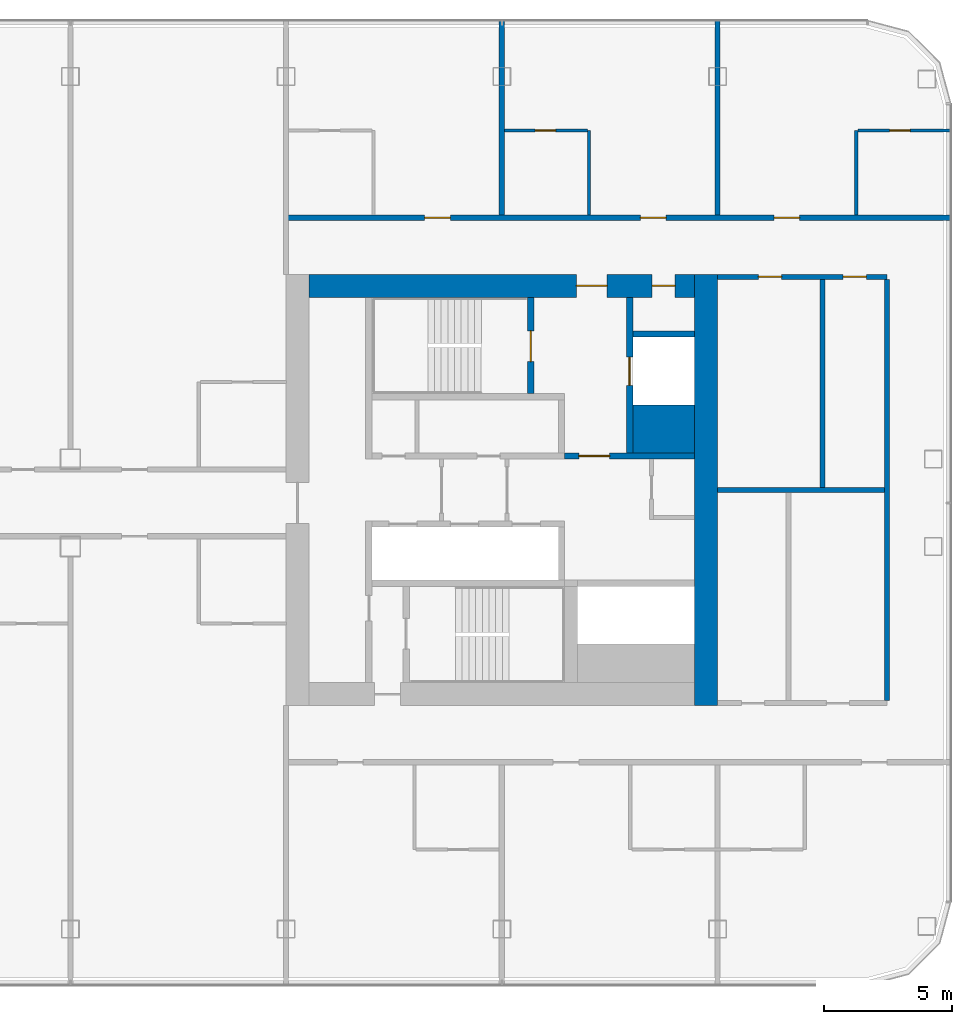
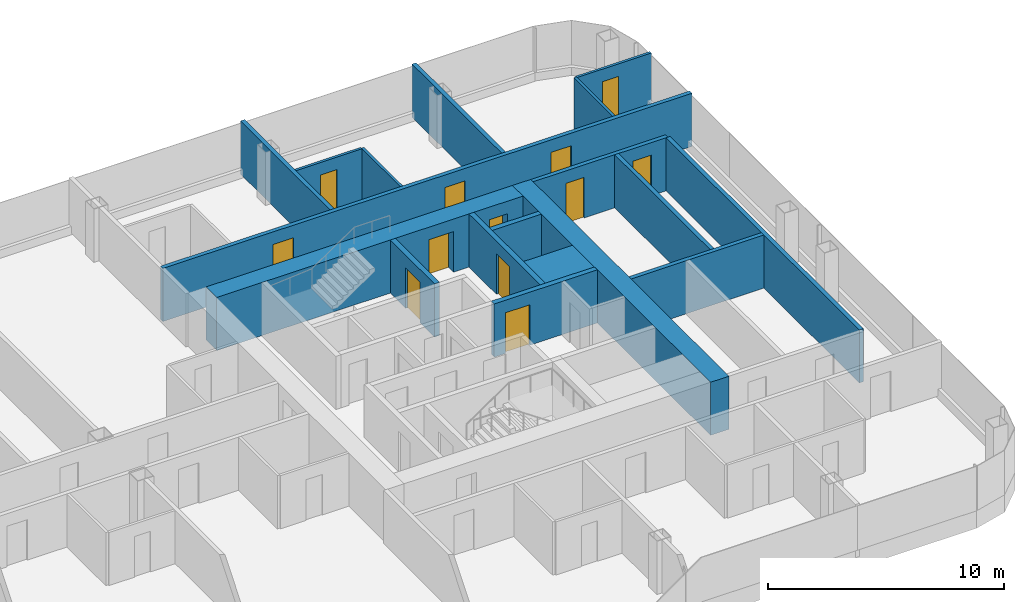
# One storey, part 16 of 25: 18 walls, 12 doors, 12 openings.
"""IFC4 building model written with IfcOpenShell, lengths in metres."""

from ifc_helpers import new_model, si_unit, direction, frame, frame_2d, origin, place, context, subcontext, project, spatial, rectangle, extrude, material, layer, layer_set, type_object, element, fill, save


model = new_model("IFC4")

# Units and contexts
model_context = context("Model", 3, precision=1e-05, world=origin(), true_north=direction((0.0, 1.0)))
body_context = subcontext(model_context, "Body", "Model", "MODEL_VIEW")
ifc_project = project(units=[si_unit("LENGTHUNIT", "METRE"), si_unit("AREAUNIT", "SQUARE_METRE"), si_unit("VOLUMEUNIT", "CUBIC_METRE"), si_unit("PLANEANGLEUNIT", "RADIAN"), si_unit("MASSUNIT", "GRAM", prefix="KILO")], contexts=[model_context])

# Site, building, storey
site_placement = place(None, origin())
site = spatial("IfcSite", under=ifc_project, at=site_placement, CompositionType="ELEMENT")
building_placement = place(site_placement, origin())
building = spatial("IfcBuilding", under=site, at=building_placement, Name="Hakoniwa Tower and Hamabe Station Hall", CompositionType="ELEMENT")
storey_placement = place(building_placement, frame((0.0, 0.0, 147.0)))
storey = spatial("IfcBuildingStorey", under=building, at=storey_placement, Name="L41", CompositionType="ELEMENT", Elevation=147.0)

# Wall, opening, door
ifc_material_1 = material(Name="Gypsum board partition", Category="gypsum")
ifc_layer_1 = layer(ifc_material_1, 0.125)
ifc_layer_set_1 = layer_set([ifc_layer_1], Name="Bathroom Partition 125")
wall_type_1 = type_object("IfcWallType", Name="Bathroom Partition 125", PredefinedType="PARTITIONING", material=ifc_layer_set_1)
wall_1_placement = place(storey_placement, frame((25.300048828125, 14.0, 0.0), z_axis=(0.0, 0.0, 1.0), x_axis=(1.0, 0.0, 0.0)))
wall_1 = element("IfcWall", 1, at=wall_1_placement, inside=storey, type_object=wall_type_1, Name="GW-L41-027", PredefinedType="PARTITIONING", context=body_context, shape_type="SweptSolid", body=[
    extrude(rectangle(XDim=3.237548828125, YDim=0.125, at=frame_2d((1.61865234375, 0.0))), origin(), (0.0, 0.0, 1.0), 2.75),
])
opening_1_placement = place(wall_1_placement, frame((1.199951171875, 0.0, 0.0)))
opening_1 = element("IfcOpeningElement", 2, at=opening_1_placement, cuts=wall_1, Name="Opening GD-G3A1-44", PredefinedType="OPENING", context=body_context, shape_type="SweptSolid", body=[
    extrude(rectangle(XDim=0.800048828125, YDim=2.10009765625, at=frame_2d((0.39990234375, 1.050048828125))), frame((0.0, 0.072509765625, 0.0), z_axis=(0.0, -1.0, 0.0), x_axis=(1.0, 0.0, 0.0)), (0.0, 0.0, 1.0), 0.14501953125),
])
ifc_material_2 = material(Name="Timber door leaf", Category="wood")
door_type_1 = type_object("IfcDoorType", Name="Bathroom Door 800", OperationType="SINGLE_SWING_LEFT", PredefinedType="DOOR", material=ifc_material_2)
door_1_placement = place(opening_1_placement, origin())
door_1 = element("IfcDoor", 3, at=door_1_placement, inside=storey, type_object=door_type_1, Name="Door GD-G3A1-44", OperationType="SINGLE_SWING_LEFT", OverallHeight=2.10009765625, OverallWidth=0.800048828125, PredefinedType="DOOR", context=body_context, shape_type="SweptSolid", body=[
    extrude(rectangle(XDim=0.800048828125, YDim=2.10009765625, at=frame_2d((0.39990234375, 1.050048828125))), frame((0.0, 0.02490234375, 0.0), z_axis=(0.0, -1.0, 0.0), x_axis=(1.0, 0.0, 0.0)), (0.0, 0.0, 1.0), 0.050048828125),
])
fill(opening_1, door_1)

wall_2_placement = place(storey_placement, frame((39.0625, 14.0, 0.0), z_axis=(0.0, 0.0, 1.0), x_axis=(1.0, 0.0, 0.0)))
wall_2 = element("IfcWall", 4, at=wall_2_placement, inside=storey, type_object=wall_type_1, Name="GW-L41-028", PredefinedType="PARTITIONING", context=body_context, shape_type="SweptSolid", body=[
    extrude(rectangle(XDim=3.637451171875, YDim=0.125, at=frame_2d((1.81884765625, 0.0))), origin(), (0.0, 0.0, 1.0), 2.75),
])
opening_2_placement = place(wall_2_placement, frame((1.237548828125, 0.0, 0.0)))
opening_2 = element("IfcOpeningElement", 5, at=opening_2_placement, cuts=wall_2, Name="Opening GD-G3A1-45", PredefinedType="OPENING", context=body_context, shape_type="SweptSolid", body=[
    extrude(rectangle(XDim=0.800048828125, YDim=2.10009765625, at=frame_2d((0.39990234375, 1.050048828125))), frame((0.0, 0.072509765625, 0.0), z_axis=(0.0, -1.0, 0.0), x_axis=(1.0, 0.0, 0.0)), (0.0, 0.0, 1.0), 0.14501953125),
])
door_2_placement = place(opening_2_placement, origin())
door_2 = element("IfcDoor", 6, at=door_2_placement, inside=storey, type_object=door_type_1, Name="Door GD-G3A1-45", OperationType="SINGLE_SWING_LEFT", OverallHeight=2.10009765625, OverallWidth=0.800048828125, PredefinedType="DOOR", context=body_context, shape_type="SweptSolid", body=[
    extrude(rectangle(XDim=0.800048828125, YDim=2.10009765625, at=frame_2d((0.39990234375, 1.050048828125))), frame((0.0, 0.02490234375, 0.0), z_axis=(0.0, -1.0, 0.0), x_axis=(1.0, 0.0, 0.0)), (0.0, 0.0, 1.0), 0.050048828125),
])
fill(opening_2, door_2)

# Walls
for number, where, z_axis, x_axis, name in (
    (7, (28.60009765625, 10.699951171875, 0.0), (0.0, 0.0, 1.0), (0.0, 1.0, 0.0), "GW-L41-063"),
    (8, (39.0, 10.699951171875, 0.0), (0.0, 0.0, 1.0), (0.0, 1.0, 0.0), "GW-L41-070"),
):
    element("IfcWall", number, at=place(storey_placement, frame(where, z_axis=z_axis, x_axis=x_axis)), inside=storey, type_object=wall_type_1, Name=name, PredefinedType="PARTITIONING", context=body_context, shape_type="SweptSolid", body=[
        extrude(rectangle(XDim=3.300048828125, YDim=0.125, at=frame_2d((1.64990234375, 0.0))), origin(), (0.0, 0.0, 1.0), 2.75),
    ])
ifc_material_3 = material(Name="Concrete C66", Category="concrete")
ifc_layer_2 = layer(ifc_material_3, 0.89990234375)
ifc_layer_set_2 = layer_set([ifc_layer_2], Name="CORE WALL 900 C66")
wall_type_2 = type_object("IfcWallType", Name="CORE WALL 900 C66", PredefinedType="SHEAR", material=ifc_layer_set_2)
wall_3_placement = place(storey_placement, frame((33.14990234375, -8.39990234375, 0.0), z_axis=(0.0, 0.0, 1.0), x_axis=(0.0, 1.0, 0.0)))
element("IfcWall", 9, at=wall_3_placement, inside=storey, type_object=wall_type_2, Name="Core wall OUTER east", PredefinedType="SHEAR", context=body_context, shape_type="SweptSolid", body=[
    extrude(rectangle(XDim=16.7998046875, YDim=0.89990234375, at=frame_2d((8.39990234375, 0.0))), origin(), (0.0, 0.0, 1.0), 2.75),
])

# Wall, openings, doors
wall_4_placement = place(storey_placement, frame((17.699951171875, 7.949951171875, 0.0), z_axis=(0.0, 0.0, 1.0), x_axis=(1.0, 0.0, 0.0)))
wall_4 = element("IfcWall", 10, at=wall_4_placement, inside=storey, type_object=wall_type_2, Name="Core wall NORTH east", PredefinedType="SHEAR", context=body_context, shape_type="SweptSolid", body=[
    extrude(rectangle(XDim=15.0, YDim=0.89990234375, at=frame_2d((7.5, 0.0))), origin(), (0.0, 0.0, 1.0), 2.75),
])
opening_3_placement = place(wall_4_placement, frame((10.39990234375, 0.0, 0.0)))
opening_3 = element("IfcOpeningElement", 11, at=opening_3_placement, cuts=wall_4, Name="Opening CD-E-FN1-12", PredefinedType="OPENING", context=body_context, shape_type="SweptSolid", body=[
    extrude(rectangle(XDim=1.199951171875, YDim=2.10009765625, at=frame_2d((0.60009765625, 1.050048828125))), frame((0.0, 0.4599609375, 0.0), z_axis=(0.0, -1.0, 0.0), x_axis=(1.0, 0.0, 0.0)), (0.0, 0.0, 1.0), 0.919921875),
])
opening_4_placement = place(wall_4_placement, frame((13.35009765625, 0.0, 0.0)))
opening_4 = element("IfcOpeningElement", 12, at=opening_4_placement, cuts=wall_4, Name="Opening CD-E-FN2-9", PredefinedType="OPENING", context=body_context, shape_type="SweptSolid", body=[
    extrude(rectangle(XDim=0.89990234375, YDim=2.10009765625, at=frame_2d((0.449951171875, 1.050048828125))), frame((0.0, 0.4599609375, 0.0), z_axis=(0.0, -1.0, 0.0), x_axis=(1.0, 0.0, 0.0)), (0.0, 0.0, 1.0), 0.919921875),
])
ifc_material_4 = material(Name="Steel fire door", Category="steel")
door_type_2 = type_object("IfcDoorType", Name="CORE DOOR 1200 FD60", OperationType="DOUBLE_DOOR_SINGLE_SWING", PredefinedType="DOOR", material=ifc_material_4)
door_3_placement = place(opening_3_placement, origin())
door_3 = element("IfcDoor", 13, at=door_3_placement, inside=storey, type_object=door_type_2, Name="Stair vestibule door to the fire-fighting lobby", OperationType="DOUBLE_DOOR_SINGLE_SWING", OverallHeight=2.10009765625, OverallWidth=1.199951171875, PredefinedType="DOOR", context=body_context, shape_type="SweptSolid", body=[
    extrude(rectangle(XDim=1.199951171875, YDim=2.10009765625, at=frame_2d((0.60009765625, 1.050048828125))), frame((0.0, 0.02490234375, 0.0), z_axis=(0.0, -1.0, 0.0), x_axis=(1.0, 0.0, 0.0)), (0.0, 0.0, 1.0), 0.050048828125),
])
fill(opening_3, door_3)
ifc_material_5 = material(Name="Steel fire door", Category="steel")
door_type_3 = type_object("IfcDoorType", Name="CORE DOOR 900 FD30", OperationType="NOTDEFINED", PredefinedType="DOOR", material=ifc_material_5)
door_4_placement = place(opening_4_placement, origin())
door_4 = element("IfcDoor", 14, at=door_4_placement, inside=storey, type_object=door_type_3, Name="Riser access door", OperationType="SINGLE_SWING_LEFT", OverallHeight=2.10009765625, OverallWidth=0.89990234375, PredefinedType="DOOR", context=body_context, shape_type="SweptSolid", body=[
    extrude(rectangle(XDim=0.89990234375, YDim=2.10009765625, at=frame_2d((0.449951171875, 1.050048828125))), frame((0.0, 0.02490234375, 0.0), z_axis=(0.0, -1.0, 0.0), x_axis=(1.0, 0.0, 0.0)), (0.0, 0.0, 1.0), 0.050048828125),
])
fill(opening_4, door_4)

# Wall
ifc_material_6 = material(Name="Concrete C66", Category="concrete")
ifc_layer_3 = layer(ifc_material_6, 1.85009765625)
ifc_layer_set_3 = layer_set([ifc_layer_3], Name="CORE WEB WALL 1850 C66")
wall_type_3 = type_object("IfcWallType", Name="CORE WEB WALL 1850 C66", PredefinedType="SHEAR", material=ifc_layer_set_3)
wall_5_placement = place(storey_placement, frame((30.300048828125, 2.375, 0.0), z_axis=(0.0, 0.0, 1.0), x_axis=(1.0, 0.0, 0.0)))
element("IfcWall", 15, at=wall_5_placement, inside=storey, type_object=wall_type_3, Name="Core wall CA east", PredefinedType="SHEAR", context=body_context, shape_type="SweptSolid", body=[
    extrude(rectangle(XDim=2.39990234375, YDim=1.85009765625, at=frame_2d((1.199951171875, 0.0))), origin(), (0.0, 0.0, 1.0), 2.75),
])

# Wall, opening, door
ifc_material_7 = material(Name="Concrete C66", Category="concrete")
ifc_layer_4 = layer(ifc_material_7, 0.25)
ifc_layer_set_4 = layer_set([ifc_layer_4], Name="CORE WEB WALL 250 C66")
wall_type_4 = type_object("IfcWallType", Name="CORE WEB WALL 250 C66", PredefinedType="SHEAR", material=ifc_layer_set_4)
wall_6_placement = place(storey_placement, frame((26.324951171875, 3.75, 0.0), z_axis=(0.0, 0.0, 1.0), x_axis=(0.0, 1.0, 0.0)))
wall_6 = element("IfcWall", 16, at=wall_6_placement, inside=storey, type_object=wall_type_4, Name="Core wall NSE east", PredefinedType="SHEAR", context=body_context, shape_type="SweptSolid", body=[
    extrude(rectangle(XDim=3.75, YDim=0.25, at=frame_2d((1.875, 0.0))), origin(), (0.0, 0.0, 1.0), 2.75),
])
opening_5_placement = place(wall_6_placement, frame((1.25, 0.0, 0.0)))
opening_5 = element("IfcOpeningElement", 17, at=opening_5_placement, cuts=wall_6, Name="Opening CD-E-SN-12", PredefinedType="OPENING", context=body_context, shape_type="SweptSolid", body=[
    extrude(rectangle(XDim=1.199951171875, YDim=2.10009765625, at=frame_2d((0.60009765625, 1.050048828125))), frame((0.0, 0.135009765625, 0.0), z_axis=(0.0, -1.0, 0.0), x_axis=(1.0, 0.0, 0.0)), (0.0, 0.0, 1.0), 0.27001953125),
])
door_5_placement = place(opening_5_placement, origin())
door_5 = element("IfcDoor", 18, at=door_5_placement, inside=storey, type_object=door_type_2, Name="Escape stair door", OperationType="DOUBLE_DOOR_SINGLE_SWING", OverallHeight=2.10009765625, OverallWidth=1.199951171875, PredefinedType="DOOR", context=body_context, shape_type="SweptSolid", body=[
    extrude(rectangle(XDim=1.199951171875, YDim=2.10009765625, at=frame_2d((0.60009765625, 1.050048828125))), frame((0.0, 0.02490234375, 0.0), z_axis=(0.0, -1.0, 0.0), x_axis=(1.0, 0.0, 0.0)), (0.0, 0.0, 1.0), 0.050048828125),
])
fill(opening_5, door_5)

wall_7_placement = place(storey_placement, frame((27.64990234375, 1.324951171875, 0.0), z_axis=(0.0, 0.0, 1.0), x_axis=(1.0, 0.0, 0.0)))
wall_7 = element("IfcWall", 19, at=wall_7_placement, inside=storey, type_object=wall_type_4, Name="Core wall ELN east", PredefinedType="SHEAR", context=body_context, shape_type="SweptSolid", body=[
    extrude(rectangle(XDim=5.050048828125, YDim=0.25, at=frame_2d((2.52490234375, 0.0))), origin(), (0.0, 0.0, 1.0), 2.75),
])
opening_6_placement = place(wall_7_placement, frame((0.550048828125, 0.0, 0.0)))
opening_6 = element("IfcOpeningElement", 20, at=opening_6_placement, cuts=wall_7, Name="Opening CD-E-FL-12", PredefinedType="OPENING", context=body_context, shape_type="SweptSolid", body=[
    extrude(rectangle(XDim=1.199951171875, YDim=2.10009765625, at=frame_2d((0.60009765625, 1.050048828125))), frame((0.0, 0.135009765625, 0.0), z_axis=(0.0, -1.0, 0.0), x_axis=(1.0, 0.0, 0.0)), (0.0, 0.0, 1.0), 0.27001953125),
])
door_6_placement = place(opening_6_placement, origin())
door_6 = element("IfcDoor", 21, at=door_6_placement, inside=storey, type_object=door_type_2, Name="Stair vestibule door to the fire-fighting lobby", OperationType="DOUBLE_DOOR_SINGLE_SWING", OverallHeight=2.10009765625, OverallWidth=1.199951171875, PredefinedType="DOOR", context=body_context, shape_type="SweptSolid", body=[
    extrude(rectangle(XDim=1.199951171875, YDim=2.10009765625, at=frame_2d((0.60009765625, 1.050048828125))), frame((0.0, 0.02490234375, 0.0), z_axis=(0.0, -1.0, 0.0), x_axis=(1.0, 0.0, 0.0)), (0.0, 0.0, 1.0), 0.050048828125),
])
fill(opening_6, door_6)

wall_8_placement = place(storey_placement, frame((30.175048828125, 1.449951171875, 0.0), z_axis=(0.0, 0.0, 1.0), x_axis=(0.0, 1.0, 0.0)))
wall_8 = element("IfcWall", 22, at=wall_8_placement, inside=storey, type_object=wall_type_4, Name="Core wall FFF east", PredefinedType="SHEAR", context=body_context, shape_type="SweptSolid", body=[
    extrude(rectangle(XDim=6.050048828125, YDim=0.25, at=frame_2d((3.02490234375, 0.0))), origin(), (0.0, 0.0, 1.0), 2.75),
])
opening_7_placement = place(wall_8_placement, frame((2.625, 0.0, 0.0)))
opening_7 = element("IfcOpeningElement", 23, at=opening_7_placement, cuts=wall_8, Name="Opening LD-FF2", PredefinedType="OPENING", context=body_context, shape_type="SweptSolid", body=[
    extrude(rectangle(XDim=1.10009765625, YDim=2.10009765625, at=frame_2d((0.550048828125, 1.050048828125))), frame((0.0, 0.135009765625, 0.0), z_axis=(0.0, -1.0, 0.0), x_axis=(1.0, 0.0, 0.0)), (0.0, 0.0, 1.0), 0.27001953125),
])
ifc_material_8 = material(Name="Stainless steel SUS304", Category="steel")
door_type_4 = type_object("IfcDoorType", Name="LIFT LANDING DOOR 1100 FD60", OperationType="DOUBLE_DOOR_SLIDING", PredefinedType="DOOR", material=ifc_material_8)
door_7_placement = place(opening_7_placement, origin())
door_7 = element("IfcDoor", 24, at=door_7_placement, inside=storey, type_object=door_type_4, Name="Lift landing door FF2 L41", OperationType="DOUBLE_DOOR_SLIDING", OverallHeight=2.10009765625, OverallWidth=1.10009765625, PredefinedType="DOOR", context=body_context, shape_type="SweptSolid", body=[
    extrude(rectangle(XDim=1.10009765625, YDim=2.10009765625, at=frame_2d((0.550048828125, 1.050048828125))), frame((0.0, 0.02490234375, 0.0), z_axis=(0.0, -1.0, 0.0), x_axis=(1.0, 0.0, 0.0)), (0.0, 0.0, 1.0), 0.050048828125),
])
fill(opening_7, door_7)

# Wall
wall_9_placement = place(storey_placement, frame((30.300048828125, 6.074951171875, 0.0), z_axis=(0.0, 0.0, 1.0), x_axis=(1.0, 0.0, 0.0)))
element("IfcWall", 25, at=wall_9_placement, inside=storey, type_object=wall_type_4, Name="Core wall C2 east", PredefinedType="SHEAR", context=body_context, shape_type="SweptSolid", body=[
    extrude(rectangle(XDim=2.39990234375, YDim=0.25, at=frame_2d((1.199951171875, 0.0))), origin(), (0.0, 0.0, 1.0), 2.75),
])

# Wall, openings, doors
ifc_material_9 = material(Name="Fire-rated gypsum board partition", Category="gypsum")
ifc_layer_5 = layer(ifc_material_9, 0.199951171875)
ifc_layer_set_5 = layer_set([ifc_layer_5], Name="Corridor Wall 200")
wall_type_5 = type_object("IfcWallType", Name="Corridor Wall 200", PredefinedType="PARTITIONING", material=ifc_layer_set_5)
wall_10_placement = place(storey_placement, frame((33.60009765625, 8.300048828125, 0.0), z_axis=(0.0, 0.0, 1.0), x_axis=(1.0, 0.0, 0.0)))
wall_10 = element("IfcWall", 26, at=wall_10_placement, inside=storey, type_object=wall_type_5, Name="GW-L41-020", PredefinedType="PARTITIONING", context=body_context, shape_type="SweptSolid", body=[
    extrude(rectangle(XDim=6.599853515625, YDim=0.199951171875, at=frame_2d((3.2998046875, 0.0))), origin(), (0.0, 0.0, 1.0), 2.75),
])
opening_8_placement = place(wall_10_placement, frame((1.594970703125, 0.0, 0.0)))
opening_8 = element("IfcOpeningElement", 27, at=opening_8_placement, cuts=wall_10, Name="Opening GD-G3A1-32", PredefinedType="OPENING", context=body_context, shape_type="SweptSolid", body=[
    extrude(rectangle(XDim=0.89990234375, YDim=2.10009765625, at=frame_2d((0.449951171875, 1.050048828125))), frame((0.0, 0.10986328125, 0.0), z_axis=(0.0, -1.0, 0.0), x_axis=(1.0, 0.0, 0.0)), (0.0, 0.0, 1.0), 0.219970703125),
])
opening_9_placement = place(wall_10_placement, frame((4.89501953125, 0.0, 0.0)))
opening_9 = element("IfcOpeningElement", 28, at=opening_9_placement, cuts=wall_10, Name="Opening GD-G3A1-33", PredefinedType="OPENING", context=body_context, shape_type="SweptSolid", body=[
    extrude(rectangle(XDim=0.89990234375, YDim=2.10009765625, at=frame_2d((0.449951171875, 1.050048828125))), frame((0.0, 0.10986328125, 0.0), z_axis=(0.0, -1.0, 0.0), x_axis=(1.0, 0.0, 0.0)), (0.0, 0.0, 1.0), 0.219970703125),
])
ifc_material_10 = material(Name="Timber door leaf", Category="wood")
door_type_5 = type_object("IfcDoorType", Name="Service Door 900", OperationType="SINGLE_SWING_LEFT", PredefinedType="DOOR", material=ifc_material_10)
door_8_placement = place(opening_8_placement, origin())
door_8 = element("IfcDoor", 29, at=door_8_placement, inside=storey, type_object=door_type_5, Name="Door GD-G3A1-32", OperationType="SINGLE_SWING_RIGHT", OverallHeight=2.10009765625, OverallWidth=0.89990234375, PredefinedType="DOOR", context=body_context, shape_type="SweptSolid", body=[
    extrude(rectangle(XDim=0.89990234375, YDim=2.10009765625, at=frame_2d((0.449951171875, 1.050048828125))), frame((0.0, 0.02490234375, 0.0), z_axis=(0.0, -1.0, 0.0), x_axis=(1.0, 0.0, 0.0)), (0.0, 0.0, 1.0), 0.050048828125),
])
fill(opening_8, door_8)
door_9_placement = place(opening_9_placement, origin())
door_9 = element("IfcDoor", 30, at=door_9_placement, inside=storey, type_object=door_type_5, Name="Door GD-G3A1-33", OperationType="SINGLE_SWING_LEFT", OverallHeight=2.10009765625, OverallWidth=0.89990234375, PredefinedType="DOOR", context=body_context, shape_type="SweptSolid", body=[
    extrude(rectangle(XDim=0.89990234375, YDim=2.10009765625, at=frame_2d((0.449951171875, 1.050048828125))), frame((0.0, 0.02490234375, 0.0), z_axis=(0.0, -1.0, 0.0), x_axis=(1.0, 0.0, 0.0)), (0.0, 0.0, 1.0), 0.050048828125),
])
fill(opening_9, door_9)

wall_11_placement = place(storey_placement, frame((16.800048828125, 10.60009765625, 0.0), z_axis=(0.0, 0.0, 1.0), x_axis=(1.0, 0.0, 0.0)))
wall_11 = element("IfcWall", 31, at=wall_11_placement, inside=storey, type_object=wall_type_5, Name="GW-L41-022", PredefinedType="PARTITIONING", context=body_context, shape_type="SweptSolid", body=[
    extrude(rectangle(XDim=25.89990234375, YDim=0.199951171875, at=frame_2d((12.949951171875, 0.0))), origin(), (0.0, 0.0, 1.0), 2.75),
])
opening_10_placement = place(wall_11_placement, frame((5.39990234375, 0.0, 0.0)))
opening_10 = element("IfcOpeningElement", 32, at=opening_10_placement, cuts=wall_11, Name="Opening GD-G3A1-37", PredefinedType="OPENING", context=body_context, shape_type="SweptSolid", body=[
    extrude(rectangle(XDim=1.0, YDim=2.10009765625, at=frame_2d((0.5, 1.050048828125))), frame((0.0, 0.10986328125, 0.0), z_axis=(0.0, -1.0, 0.0), x_axis=(1.0, 0.0, 0.0)), (0.0, 0.0, 1.0), 0.219970703125),
])
opening_11_placement = place(wall_11_placement, frame((13.800048828125, 0.0, 0.0)))
opening_11 = element("IfcOpeningElement", 33, at=opening_11_placement, cuts=wall_11, Name="Opening GD-G3A1-38", PredefinedType="OPENING", context=body_context, shape_type="SweptSolid", body=[
    extrude(rectangle(XDim=1.0, YDim=2.10009765625, at=frame_2d((0.5, 1.050048828125))), frame((0.0, 0.10986328125, 0.0), z_axis=(0.0, -1.0, 0.0), x_axis=(1.0, 0.0, 0.0)), (0.0, 0.0, 1.0), 0.219970703125),
])
opening_12_placement = place(wall_11_placement, frame((19.0, 0.0, 0.0)))
opening_12 = element("IfcOpeningElement", 34, at=opening_12_placement, cuts=wall_11, Name="Opening GD-G3A1-39", PredefinedType="OPENING", context=body_context, shape_type="SweptSolid", body=[
    extrude(rectangle(XDim=1.0, YDim=2.10009765625, at=frame_2d((0.5, 1.050048828125))), frame((0.0, 0.10986328125, 0.0), z_axis=(0.0, -1.0, 0.0), x_axis=(1.0, 0.0, 0.0)), (0.0, 0.0, 1.0), 0.219970703125),
])
ifc_material_11 = material(Name="Timber door leaf", Category="wood")
door_type_6 = type_object("IfcDoorType", Name="Guest Entrance Door 1000", OperationType="SINGLE_SWING_LEFT", PredefinedType="DOOR", material=ifc_material_11)
door_10_placement = place(opening_10_placement, origin())
door_10 = element("IfcDoor", 35, at=door_10_placement, inside=storey, type_object=door_type_6, Name="Door GD-G3A1-37", OperationType="SINGLE_SWING_RIGHT", OverallHeight=2.10009765625, OverallWidth=1.0, PredefinedType="DOOR", context=body_context, shape_type="SweptSolid", body=[
    extrude(rectangle(XDim=1.0, YDim=2.10009765625, at=frame_2d((0.5, 1.050048828125))), frame((0.0, 0.02490234375, 0.0), z_axis=(0.0, -1.0, 0.0), x_axis=(1.0, 0.0, 0.0)), (0.0, 0.0, 1.0), 0.050048828125),
])
fill(opening_10, door_10)
door_11_placement = place(opening_11_placement, origin())
door_11 = element("IfcDoor", 36, at=door_11_placement, inside=storey, type_object=door_type_6, Name="Door GD-G3A1-38", OperationType="SINGLE_SWING_LEFT", OverallHeight=2.10009765625, OverallWidth=1.0, PredefinedType="DOOR", context=body_context, shape_type="SweptSolid", body=[
    extrude(rectangle(XDim=1.0, YDim=2.10009765625, at=frame_2d((0.5, 1.050048828125))), frame((0.0, 0.02490234375, 0.0), z_axis=(0.0, -1.0, 0.0), x_axis=(1.0, 0.0, 0.0)), (0.0, 0.0, 1.0), 0.050048828125),
])
fill(opening_11, door_11)
door_12_placement = place(opening_12_placement, origin())
door_12 = element("IfcDoor", 37, at=door_12_placement, inside=storey, type_object=door_type_6, Name="Door GD-G3A1-39", OperationType="SINGLE_SWING_RIGHT", OverallHeight=2.10009765625, OverallWidth=1.0, PredefinedType="DOOR", context=body_context, shape_type="SweptSolid", body=[
    extrude(rectangle(XDim=1.0, YDim=2.10009765625, at=frame_2d((0.5, 1.050048828125))), frame((0.0, 0.02490234375, 0.0), z_axis=(0.0, -1.0, 0.0), x_axis=(1.0, 0.0, 0.0)), (0.0, 0.0, 1.0), 0.050048828125),
])
fill(opening_12, door_12)

# Walls
ifc_material_12 = material(Name="Fire-rated gypsum board partition", Category="gypsum")
ifc_layer_6 = layer(ifc_material_12, 0.199951171875)
ifc_layer_set_6 = layer_set([ifc_layer_6], Name="Party Wall 200")
wall_type_6 = type_object("IfcWallType", Name="Party Wall 200", PredefinedType="PARTITIONING", material=ifc_layer_set_6)
wall_12_placement = place(storey_placement, frame((33.60009765625, 0.0, 0.0), z_axis=(0.0, 0.0, 1.0), x_axis=(1.0, 0.0, 0.0)))
element("IfcWall", 38, at=wall_12_placement, inside=storey, type_object=wall_type_6, Name="GW-L41-015", PredefinedType="PARTITIONING", context=body_context, shape_type="SweptSolid", body=[
    extrude(rectangle(XDim=6.5, YDim=0.199951171875, at=frame_2d((3.25, 0.0))), origin(), (0.0, 0.0, 1.0), 2.75),
])
for number, where, z_axis, x_axis, name in (
    (39, (25.199951171875, 10.699951171875, 0.0), (0.0, 0.0, 1.0), (0.0, 1.0, 0.0), "GW-L41-062"),
    (40, (33.60009765625, 10.699951171875, 0.0), (0.0, 0.0, 1.0), (0.0, 1.0, 0.0), "GW-L41-066"),
):
    element("IfcWall", number, at=place(storey_placement, frame(where, z_axis=z_axis, x_axis=x_axis)), inside=storey, type_object=wall_type_6, Name=name, PredefinedType="PARTITIONING", context=body_context, shape_type="SweptSolid", body=[
        extrude(rectangle(XDim=7.60009765625, YDim=0.199951171875, at=frame_2d((3.800048828125, 0.0))), origin(), (0.0, 0.0, 1.0), 2.75),
    ])
wall_13_placement = place(storey_placement, frame((37.68994140625, 0.0, 0.0), z_axis=(0.0, 0.0, 1.0), x_axis=(0.0, 1.0, 0.0)))
element("IfcWall", 41, at=wall_13_placement, inside=storey, type_object=wall_type_6, Name="GW-L41-069", PredefinedType="PARTITIONING", context=body_context, shape_type="SweptSolid", body=[
    extrude(rectangle(XDim=8.199951171875, YDim=0.199951171875, at=frame_2d((4.10009765625, 0.0))), origin(), (0.0, 0.0, 1.0), 2.75),
])
wall_14_placement = place(storey_placement, frame((40.199951171875, -8.199951171875, 0.0), z_axis=(0.0, 0.0, 1.0), x_axis=(0.0, 1.0, 0.0)))
element("IfcWall", 42, at=wall_14_placement, inside=storey, type_object=wall_type_6, Name="GW-L41-071", PredefinedType="PARTITIONING", context=body_context, shape_type="SweptSolid", body=[
    extrude(rectangle(XDim=16.39990234375, YDim=0.199951171875, at=frame_2d((8.199951171875, 0.0))), origin(), (0.0, 0.0, 1.0), 2.75),
])

save(model, "model.ifc")
